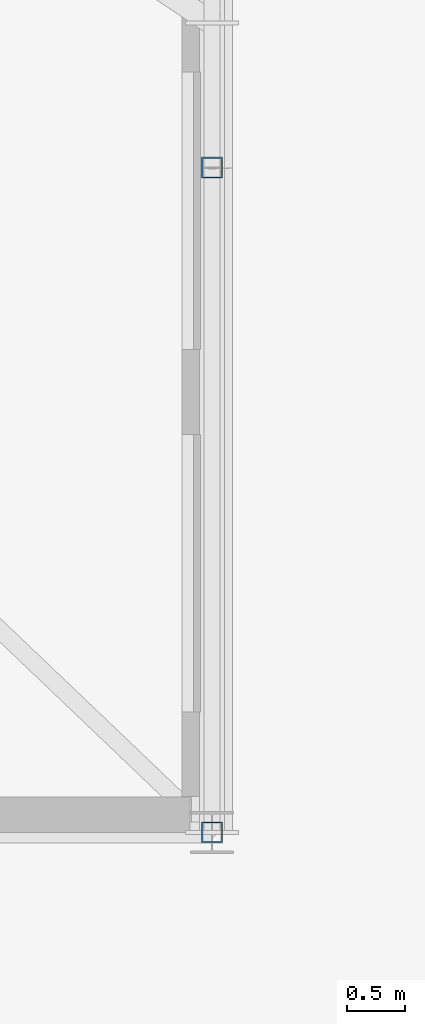
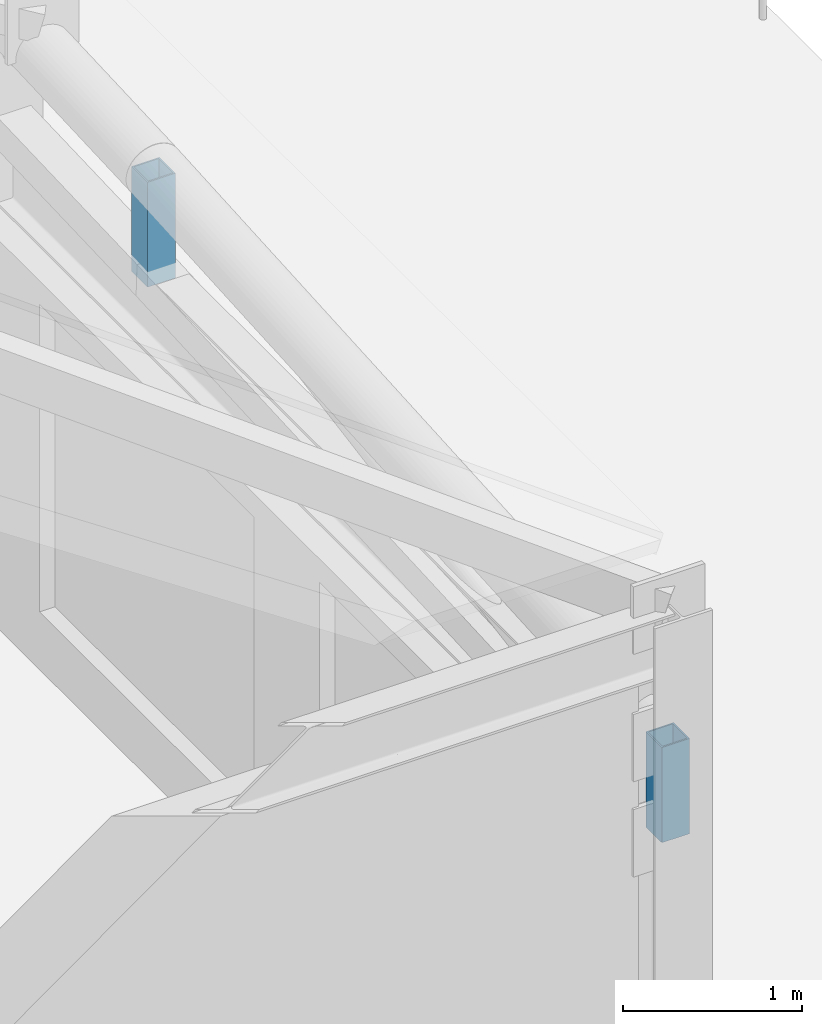
# One storey, part 128 of 168: 2 members.
"""IFC4 building model written with IfcOpenShell, lengths in metres."""

from ifc_helpers import new_model, si_unit, direction, frame, origin, origin_2d, place, context, subcontext, project, spatial, hollow_rectangle, extrude, material, material_profile, profile_set, type_object, element, save


model = new_model("IFC4")

# Units and contexts
model_context = context("Model", 3, precision=1e-05, world=origin(), true_north=direction((0.0, 1.0)))
body_context = subcontext(model_context, "Body", "Model", "MODEL_VIEW")
ifc_project = project(units=[si_unit("LENGTHUNIT", "METRE"), si_unit("AREAUNIT", "SQUARE_METRE"), si_unit("VOLUMEUNIT", "CUBIC_METRE"), si_unit("PLANEANGLEUNIT", "RADIAN"), si_unit("MASSUNIT", "GRAM", prefix="KILO"), si_unit("THERMODYNAMICTEMPERATUREUNIT", "KELVIN"), si_unit("POWERUNIT", "WATT")], contexts=[model_context])

# Site, building, storey
site_placement = place(None, origin())
site = spatial("IfcSite", under=ifc_project, at=site_placement, CompositionType="ELEMENT")
building_placement = place(site_placement, origin())
building = spatial("IfcBuilding", under=site, at=building_placement, Name="Tepalcoro Natatorium and Aquatics Centre", CompositionType="ELEMENT")
storey_placement = place(building_placement, frame((0.0, 0.0, 10.199951171875)))
storey = spatial("IfcBuildingStorey", under=building, at=storey_placement, Name="L02", CompositionType="ELEMENT", Elevation=10.199951171875)

# Members
ifc_material = material(Name="Terracotta Painted Hollow Steel ASTM A500 Grade C (Fy 345 MPa)", Category="masonry")
ifc_material_profile = material_profile(ifc_material, hollow_rectangle(XDim=0.179931640625, YDim=0.179931640625, WallThickness=0.010009765625, at=origin_2d()), Name="HSS180X180X10")
ifc_profile_set = profile_set([ifc_material_profile], Name="Terracotta Painted Hollow Steel ASTM A500 Grade C (Fy 345 MPa)")
member_type = type_object("IfcMemberType", Name="MB_PS_HSS180x180x10", PredefinedType="POST", material=ifc_profile_set)
member_1_placement = place(storey_placement, frame((125.0, 13.0, 2.800048828125), z_axis=(0.0, 0.0, 1.0), x_axis=(1.0, 0.0, 0.0)))
element("IfcMember", 1, at=member_1_placement, inside=storey, type_object=member_type, Name="V1 Arched Truss Vertical Post 9", PredefinedType="POST", context=body_context, shape_type="SweptSolid", body=[
    extrude(hollow_rectangle(XDim=0.179931640625, YDim=0.179931640625, WallThickness=0.010009765625, at=origin_2d()), origin(), (0.0, 0.0, 1.0), 0.64990234375),
])
member_2_placement = place(storey_placement, frame((125.0, 18.75, 3.106201171875), z_axis=(0.0, 0.0, 1.0), x_axis=(1.0, 0.0, 0.0)))
element("IfcMember", 2, at=member_2_placement, inside=storey, type_object=member_type, Name="V1 Arched Truss Vertical Post 9", PredefinedType="POST", context=body_context, shape_type="SweptSolid", body=[
    extrude(hollow_rectangle(XDim=0.179931640625, YDim=0.179931640625, WallThickness=0.010009765625, at=origin_2d()), origin(), (0.0, 0.0, 1.0), 0.7158203125),
])

save(model, "model.ifc")
